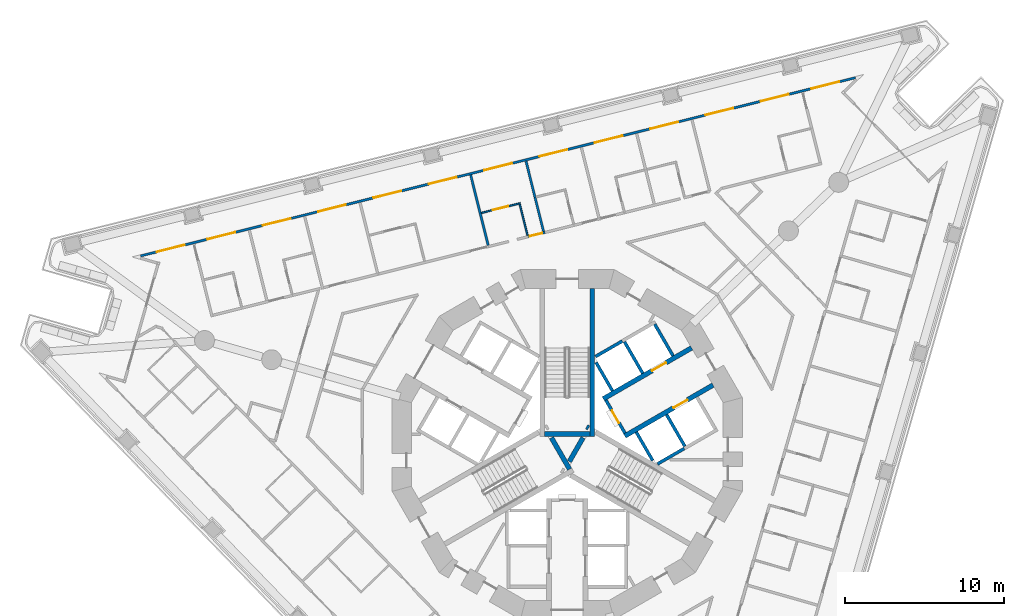
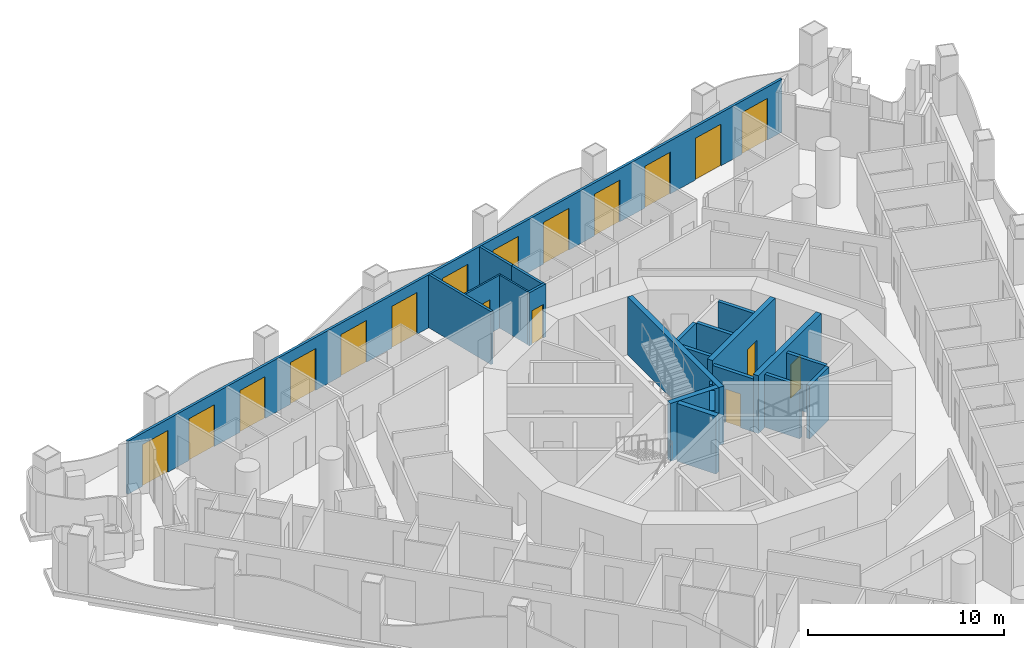
# One storey, part 8 of 19: 22 walls, 18 doors, 18 openings.
"""IFC4 building model written with IfcOpenShell, lengths in metres."""

from ifc_helpers import new_model, si_unit, direction, frame, frame_2d, origin, place, context, subcontext, project, spatial, polyline, rectangle, outline, extrude, material, layer, layer_set, type_object, element, fill, save


model = new_model("IFC4")

# Units and contexts
model_context = context("Model", 3, precision=1e-05, world=origin(), true_north=direction((0.0, 1.0)))
body_context = subcontext(model_context, "Body", "Model", "MODEL_VIEW")
ifc_project = project(units=[si_unit("LENGTHUNIT", "METRE"), si_unit("AREAUNIT", "SQUARE_METRE"), si_unit("VOLUMEUNIT", "CUBIC_METRE"), si_unit("PLANEANGLEUNIT", "RADIAN"), si_unit("MASSUNIT", "GRAM", prefix="KILO")], contexts=[model_context])

# Site, building, storey
site_placement = place(None, origin())
site = spatial("IfcSite", under=ifc_project, at=site_placement, CompositionType="ELEMENT")
building_placement = place(site_placement, origin())
building = spatial("IfcBuilding", under=site, at=building_placement, Name="Trine Commons Tower", CompositionType="ELEMENT")
storey_placement = place(building_placement, frame((0.0, 0.0, 98.10009765625)))
storey = spatial("IfcBuildingStorey", under=building, at=storey_placement, Name="L24", CompositionType="ELEMENT", Elevation=98.10009765625)

# Wall, openings, doors
ifc_material_1 = material(Name="Aluminium-framed insulated wall panel", Category="aluminium")
ifc_layer_1 = layer(ifc_material_1, 0.14990234375)
ifc_layer_set_1 = layer_set([ifc_layer_1], Name="Aluminium-framed insulated wall panel")
wall_type_1 = type_object("IfcWallType", Name="Glazed frame wall 150, EI 60", PredefinedType="SOLIDWALL", material=ifc_layer_set_1)
wall_1_placement = place(storey_placement, frame((53.01416015625, 74.326904296875, 0.0), z_axis=(0.0, 0.0, 1.0), x_axis=(0.970295935704, 0.24192105563, 0.0)))
wall_1 = element("IfcWall", 1, at=wall_1_placement, inside=storey, type_object=wall_type_1, Name="Glazed frame wall F1", PredefinedType="SOLIDWALL", context=body_context, shape_type="SweptSolid", body=[
    extrude(outline(polyline([(0.1494140625, 0.074951171875), (0.1494140625, -0.074951171875), (46.496826171875, -0.074951171875), (46.496826171875, 0.074951171875), (0.1494140625, 0.074951171875)])), origin(), (0.0, 0.0, 1.0), 3.2998046875),
])
opening_1_placement = place(wall_1_placement, frame((1.194091796875, 0.0, 0.0)))
opening_1 = element("IfcOpeningElement", 2, at=opening_1_placement, cuts=wall_1, Name="Opening BD-3F1-01", PredefinedType="OPENING", context=body_context, shape_type="SweptSolid", body=[
    extrude(rectangle(XDim=1.800048828125, YDim=2.60009765625, at=frame_2d((0.89990234375, 1.300048828125))), frame((0.0, 0.0849609375, 0.0), z_axis=(0.0, -1.0, 0.0), x_axis=(1.0, 0.0, 0.0)), (0.0, 0.0, 1.0), 0.169921875),
])
opening_2_placement = place(wall_1_placement, frame((4.482421875, 0.0, 0.0)))
opening_2 = element("IfcOpeningElement", 3, at=opening_2_placement, cuts=wall_1, Name="Opening BD-3F1-02", PredefinedType="OPENING", context=body_context, shape_type="SweptSolid", body=[
    extrude(rectangle(XDim=1.800048828125, YDim=2.60009765625, at=frame_2d((0.89990234375, 1.300048828125))), frame((0.0, 0.0849609375, 0.0), z_axis=(0.0, -1.0, 0.0), x_axis=(1.0, 0.0, 0.0)), (0.0, 0.0, 1.0), 0.169921875),
])
opening_3_placement = place(wall_1_placement, frame((8.070556640625, 0.0, 0.0)))
opening_3 = element("IfcOpeningElement", 4, at=opening_3_placement, cuts=wall_1, Name="Opening BD-3F1-03", PredefinedType="OPENING", context=body_context, shape_type="SweptSolid", body=[
    extrude(rectangle(XDim=1.800048828125, YDim=2.60009765625, at=frame_2d((0.89990234375, 1.300048828125))), frame((0.0, 0.0849609375, 0.0), z_axis=(0.0, -1.0, 0.0), x_axis=(1.0, 0.0, 0.0)), (0.0, 0.0, 1.0), 0.169921875),
])
opening_4_placement = place(wall_1_placement, frame((11.65869140625, 0.0, 0.0)))
opening_4 = element("IfcOpeningElement", 5, at=opening_4_placement, cuts=wall_1, Name="Opening BD-3F1-04", PredefinedType="OPENING", context=body_context, shape_type="SweptSolid", body=[
    extrude(rectangle(XDim=1.800048828125, YDim=2.60009765625, at=frame_2d((0.89990234375, 1.300048828125))), frame((0.0, 0.0849609375, 0.0), z_axis=(0.0, -1.0, 0.0), x_axis=(1.0, 0.0, 0.0)), (0.0, 0.0, 1.0), 0.169921875),
])
opening_5_placement = place(wall_1_placement, frame((15.246826171875, 0.0, 0.0)))
opening_5 = element("IfcOpeningElement", 6, at=opening_5_placement, cuts=wall_1, Name="Opening BD-3F1-05", PredefinedType="OPENING", context=body_context, shape_type="SweptSolid", body=[
    extrude(rectangle(XDim=1.800048828125, YDim=2.60009765625, at=frame_2d((0.89990234375, 1.300048828125))), frame((0.0, 0.0849609375, 0.0), z_axis=(0.0, -1.0, 0.0), x_axis=(1.0, 0.0, 0.0)), (0.0, 0.0, 1.0), 0.169921875),
])
opening_6_placement = place(wall_1_placement, frame((18.835205078125, 0.0, 0.0)))
opening_6 = element("IfcOpeningElement", 7, at=opening_6_placement, cuts=wall_1, Name="Opening BD-3F1-06", PredefinedType="OPENING", context=body_context, shape_type="SweptSolid", body=[
    extrude(rectangle(XDim=1.800048828125, YDim=2.60009765625, at=frame_2d((0.89990234375, 1.300048828125))), frame((0.0, 0.0849609375, 0.0), z_axis=(0.0, -1.0, 0.0), x_axis=(1.0, 0.0, 0.0)), (0.0, 0.0, 1.0), 0.169921875),
])
opening_7_placement = place(wall_1_placement, frame((22.42333984375, 0.0, 0.0)))
opening_7 = element("IfcOpeningElement", 8, at=opening_7_placement, cuts=wall_1, Name="Opening BD-3F1-07", PredefinedType="OPENING", context=body_context, shape_type="SweptSolid", body=[
    extrude(rectangle(XDim=1.800048828125, YDim=2.60009765625, at=frame_2d((0.89990234375, 1.300048828125))), frame((0.0, 0.0849609375, 0.0), z_axis=(0.0, -1.0, 0.0), x_axis=(1.0, 0.0, 0.0)), (0.0, 0.0, 1.0), 0.169921875),
])
opening_8_placement = place(wall_1_placement, frame((26.011474609375, 0.0, 0.0)))
opening_8 = element("IfcOpeningElement", 9, at=opening_8_placement, cuts=wall_1, Name="Opening BD-3F1-08", PredefinedType="OPENING", context=body_context, shape_type="SweptSolid", body=[
    extrude(rectangle(XDim=1.800048828125, YDim=2.60009765625, at=frame_2d((0.89990234375, 1.300048828125))), frame((0.0, 0.0849609375, 0.0), z_axis=(0.0, -1.0, 0.0), x_axis=(1.0, 0.0, 0.0)), (0.0, 0.0, 1.0), 0.169921875),
])
opening_9_placement = place(wall_1_placement, frame((29.599609375, 0.0, 0.0)))
opening_9 = element("IfcOpeningElement", 10, at=opening_9_placement, cuts=wall_1, Name="Opening BD-3F1-09", PredefinedType="OPENING", context=body_context, shape_type="SweptSolid", body=[
    extrude(rectangle(XDim=1.800048828125, YDim=2.60009765625, at=frame_2d((0.89990234375, 1.300048828125))), frame((0.0, 0.0849609375, 0.0), z_axis=(0.0, -1.0, 0.0), x_axis=(1.0, 0.0, 0.0)), (0.0, 0.0, 1.0), 0.169921875),
])
opening_10_placement = place(wall_1_placement, frame((33.18798828125, 0.0, 0.0)))
opening_10 = element("IfcOpeningElement", 11, at=opening_10_placement, cuts=wall_1, Name="Opening BD-3F1-10", PredefinedType="OPENING", context=body_context, shape_type="SweptSolid", body=[
    extrude(rectangle(XDim=1.800048828125, YDim=2.60009765625, at=frame_2d((0.89990234375, 1.300048828125))), frame((0.0, 0.0849609375, 0.0), z_axis=(0.0, -1.0, 0.0), x_axis=(1.0, 0.0, 0.0)), (0.0, 0.0, 1.0), 0.169921875),
])
opening_11_placement = place(wall_1_placement, frame((36.776123046875, 0.0, 0.0)))
opening_11 = element("IfcOpeningElement", 12, at=opening_11_placement, cuts=wall_1, Name="Opening BD-3F1-11", PredefinedType="OPENING", context=body_context, shape_type="SweptSolid", body=[
    extrude(rectangle(XDim=1.800048828125, YDim=2.60009765625, at=frame_2d((0.89990234375, 1.300048828125))), frame((0.0, 0.0849609375, 0.0), z_axis=(0.0, -1.0, 0.0), x_axis=(1.0, 0.0, 0.0)), (0.0, 0.0, 1.0), 0.169921875),
])
opening_12_placement = place(wall_1_placement, frame((40.3642578125, 0.0, 0.0)))
opening_12 = element("IfcOpeningElement", 13, at=opening_12_placement, cuts=wall_1, Name="Opening BD-3F1-12", PredefinedType="OPENING", context=body_context, shape_type="SweptSolid", body=[
    extrude(rectangle(XDim=1.800048828125, YDim=2.60009765625, at=frame_2d((0.89990234375, 1.300048828125))), frame((0.0, 0.0849609375, 0.0), z_axis=(0.0, -1.0, 0.0), x_axis=(1.0, 0.0, 0.0)), (0.0, 0.0, 1.0), 0.169921875),
])
opening_13_placement = place(wall_1_placement, frame((43.652587890625, 0.0, 0.0)))
opening_13 = element("IfcOpeningElement", 14, at=opening_13_placement, cuts=wall_1, Name="Opening BD-3F1-13", PredefinedType="OPENING", context=body_context, shape_type="SweptSolid", body=[
    extrude(rectangle(XDim=1.800048828125, YDim=2.60009765625, at=frame_2d((0.89990234375, 1.300048828125))), frame((0.0, 0.0849609375, 0.0), z_axis=(0.0, -1.0, 0.0), x_axis=(1.0, 0.0, 0.0)), (0.0, 0.0, 1.0), 0.169921875),
])
ifc_material_2 = material(Name="Anodised aluminium frame with double glazing", Category="aluminium")
door_type_1 = type_object("IfcDoorType", Name="Sliding loggia door 1800x2600", OperationType="SLIDING_TO_LEFT", PredefinedType="DOOR", material=ifc_material_2)
door_1_placement = place(opening_1_placement, origin())
door_1 = element("IfcDoor", 15, at=door_1_placement, inside=storey, type_object=door_type_1, Name="Loggia door F1 1", OperationType="SLIDING_TO_LEFT", OverallHeight=2.60009765625, OverallWidth=1.800048828125, PredefinedType="DOOR", context=body_context, shape_type="SweptSolid", body=[
    extrude(rectangle(XDim=1.800048828125, YDim=2.60009765625, at=frame_2d((0.89990234375, 1.300048828125))), frame((0.0, 0.02490234375, 0.0), z_axis=(0.0, -1.0, 0.0), x_axis=(1.0, 0.0, 0.0)), (0.0, 0.0, 1.0), 0.050048828125),
])
fill(opening_1, door_1)
door_2_placement = place(opening_2_placement, origin())
door_2 = element("IfcDoor", 16, at=door_2_placement, inside=storey, type_object=door_type_1, Name="Loggia door F1 2", OperationType="SLIDING_TO_LEFT", OverallHeight=2.60009765625, OverallWidth=1.800048828125, PredefinedType="DOOR", context=body_context, shape_type="SweptSolid", body=[
    extrude(rectangle(XDim=1.800048828125, YDim=2.60009765625, at=frame_2d((0.89990234375, 1.300048828125))), frame((0.0, 0.02490234375, 0.0), z_axis=(0.0, -1.0, 0.0), x_axis=(1.0, 0.0, 0.0)), (0.0, 0.0, 1.0), 0.050048828125),
])
fill(opening_2, door_2)
door_3_placement = place(opening_3_placement, origin())
door_3 = element("IfcDoor", 17, at=door_3_placement, inside=storey, type_object=door_type_1, Name="Loggia door F1 3", OperationType="SLIDING_TO_LEFT", OverallHeight=2.60009765625, OverallWidth=1.800048828125, PredefinedType="DOOR", context=body_context, shape_type="SweptSolid", body=[
    extrude(rectangle(XDim=1.800048828125, YDim=2.60009765625, at=frame_2d((0.89990234375, 1.300048828125))), frame((0.0, 0.02490234375, 0.0), z_axis=(0.0, -1.0, 0.0), x_axis=(1.0, 0.0, 0.0)), (0.0, 0.0, 1.0), 0.050048828125),
])
fill(opening_3, door_3)
door_4_placement = place(opening_4_placement, origin())
door_4 = element("IfcDoor", 18, at=door_4_placement, inside=storey, type_object=door_type_1, Name="Loggia door F1 4", OperationType="SLIDING_TO_LEFT", OverallHeight=2.60009765625, OverallWidth=1.800048828125, PredefinedType="DOOR", context=body_context, shape_type="SweptSolid", body=[
    extrude(rectangle(XDim=1.800048828125, YDim=2.60009765625, at=frame_2d((0.89990234375, 1.300048828125))), frame((0.0, 0.02490234375, 0.0), z_axis=(0.0, -1.0, 0.0), x_axis=(1.0, 0.0, 0.0)), (0.0, 0.0, 1.0), 0.050048828125),
])
fill(opening_4, door_4)
door_5_placement = place(opening_5_placement, origin())
door_5 = element("IfcDoor", 19, at=door_5_placement, inside=storey, type_object=door_type_1, Name="Loggia door F1 5", OperationType="SLIDING_TO_LEFT", OverallHeight=2.60009765625, OverallWidth=1.800048828125, PredefinedType="DOOR", context=body_context, shape_type="SweptSolid", body=[
    extrude(rectangle(XDim=1.800048828125, YDim=2.60009765625, at=frame_2d((0.89990234375, 1.300048828125))), frame((0.0, 0.02490234375, 0.0), z_axis=(0.0, -1.0, 0.0), x_axis=(1.0, 0.0, 0.0)), (0.0, 0.0, 1.0), 0.050048828125),
])
fill(opening_5, door_5)
door_6_placement = place(opening_6_placement, origin())
door_6 = element("IfcDoor", 20, at=door_6_placement, inside=storey, type_object=door_type_1, Name="Loggia door F1 6", OperationType="SLIDING_TO_LEFT", OverallHeight=2.60009765625, OverallWidth=1.800048828125, PredefinedType="DOOR", context=body_context, shape_type="SweptSolid", body=[
    extrude(rectangle(XDim=1.800048828125, YDim=2.60009765625, at=frame_2d((0.89990234375, 1.300048828125))), frame((0.0, 0.02490234375, 0.0), z_axis=(0.0, -1.0, 0.0), x_axis=(1.0, 0.0, 0.0)), (0.0, 0.0, 1.0), 0.050048828125),
])
fill(opening_6, door_6)
door_7_placement = place(opening_7_placement, origin())
door_7 = element("IfcDoor", 21, at=door_7_placement, inside=storey, type_object=door_type_1, Name="Loggia door F1 7", OperationType="SLIDING_TO_LEFT", OverallHeight=2.60009765625, OverallWidth=1.800048828125, PredefinedType="DOOR", context=body_context, shape_type="SweptSolid", body=[
    extrude(rectangle(XDim=1.800048828125, YDim=2.60009765625, at=frame_2d((0.89990234375, 1.300048828125))), frame((0.0, 0.02490234375, 0.0), z_axis=(0.0, -1.0, 0.0), x_axis=(1.0, 0.0, 0.0)), (0.0, 0.0, 1.0), 0.050048828125),
])
fill(opening_7, door_7)
door_8_placement = place(opening_8_placement, origin())
door_8 = element("IfcDoor", 22, at=door_8_placement, inside=storey, type_object=door_type_1, Name="Loggia door F1 8", OperationType="SLIDING_TO_LEFT", OverallHeight=2.60009765625, OverallWidth=1.800048828125, PredefinedType="DOOR", context=body_context, shape_type="SweptSolid", body=[
    extrude(rectangle(XDim=1.800048828125, YDim=2.60009765625, at=frame_2d((0.89990234375, 1.300048828125))), frame((0.0, 0.02490234375, 0.0), z_axis=(0.0, -1.0, 0.0), x_axis=(1.0, 0.0, 0.0)), (0.0, 0.0, 1.0), 0.050048828125),
])
fill(opening_8, door_8)
door_9_placement = place(opening_9_placement, origin())
door_9 = element("IfcDoor", 23, at=door_9_placement, inside=storey, type_object=door_type_1, Name="Loggia door F1 9", OperationType="SLIDING_TO_LEFT", OverallHeight=2.60009765625, OverallWidth=1.800048828125, PredefinedType="DOOR", context=body_context, shape_type="SweptSolid", body=[
    extrude(rectangle(XDim=1.800048828125, YDim=2.60009765625, at=frame_2d((0.89990234375, 1.300048828125))), frame((0.0, 0.02490234375, 0.0), z_axis=(0.0, -1.0, 0.0), x_axis=(1.0, 0.0, 0.0)), (0.0, 0.0, 1.0), 0.050048828125),
])
fill(opening_9, door_9)
door_10_placement = place(opening_10_placement, origin())
door_10 = element("IfcDoor", 24, at=door_10_placement, inside=storey, type_object=door_type_1, Name="Loggia door F1 10", OperationType="SLIDING_TO_LEFT", OverallHeight=2.60009765625, OverallWidth=1.800048828125, PredefinedType="DOOR", context=body_context, shape_type="SweptSolid", body=[
    extrude(rectangle(XDim=1.800048828125, YDim=2.60009765625, at=frame_2d((0.89990234375, 1.300048828125))), frame((0.0, 0.02490234375, 0.0), z_axis=(0.0, -1.0, 0.0), x_axis=(1.0, 0.0, 0.0)), (0.0, 0.0, 1.0), 0.050048828125),
])
fill(opening_10, door_10)
door_11_placement = place(opening_11_placement, origin())
door_11 = element("IfcDoor", 25, at=door_11_placement, inside=storey, type_object=door_type_1, Name="Loggia door F1 11", OperationType="SLIDING_TO_LEFT", OverallHeight=2.60009765625, OverallWidth=1.800048828125, PredefinedType="DOOR", context=body_context, shape_type="SweptSolid", body=[
    extrude(rectangle(XDim=1.800048828125, YDim=2.60009765625, at=frame_2d((0.89990234375, 1.300048828125))), frame((0.0, 0.02490234375, 0.0), z_axis=(0.0, -1.0, 0.0), x_axis=(1.0, 0.0, 0.0)), (0.0, 0.0, 1.0), 0.050048828125),
])
fill(opening_11, door_11)
door_12_placement = place(opening_12_placement, origin())
door_12 = element("IfcDoor", 26, at=door_12_placement, inside=storey, type_object=door_type_1, Name="Loggia door F1 12", OperationType="SLIDING_TO_LEFT", OverallHeight=2.60009765625, OverallWidth=1.800048828125, PredefinedType="DOOR", context=body_context, shape_type="SweptSolid", body=[
    extrude(rectangle(XDim=1.800048828125, YDim=2.60009765625, at=frame_2d((0.89990234375, 1.300048828125))), frame((0.0, 0.02490234375, 0.0), z_axis=(0.0, -1.0, 0.0), x_axis=(1.0, 0.0, 0.0)), (0.0, 0.0, 1.0), 0.050048828125),
])
fill(opening_12, door_12)
door_13_placement = place(opening_13_placement, origin())
door_13 = element("IfcDoor", 27, at=door_13_placement, inside=storey, type_object=door_type_1, Name="Loggia door F1 13", OperationType="SLIDING_TO_LEFT", OverallHeight=2.60009765625, OverallWidth=1.800048828125, PredefinedType="DOOR", context=body_context, shape_type="SweptSolid", body=[
    extrude(rectangle(XDim=1.800048828125, YDim=2.60009765625, at=frame_2d((0.89990234375, 1.300048828125))), frame((0.0, 0.02490234375, 0.0), z_axis=(0.0, -1.0, 0.0), x_axis=(1.0, 0.0, 0.0)), (0.0, 0.0, 1.0), 0.050048828125),
])
fill(opening_13, door_13)

# Wall, opening, door
ifc_material_3 = material(Name="Fire-rated gypsum shaft wall system")
ifc_layer_2 = layer(ifc_material_3, 0.199951171875)
ifc_layer_set_2 = layer_set([ifc_layer_2], Name="Fire-rated gypsum shaft wall system")
wall_type_2 = type_object("IfcWallType", Name="Lobby end wall 200 mm, EI 120", PredefinedType="PARTITIONING", material=ifc_layer_set_2)
wall_2_placement = place(storey_placement, frame((83.631103515625, 63.2109375, 0.0), z_axis=(0.0, 0.0, 1.0), x_axis=(-0.50012165622, 0.865955154139, 0.0)))
wall_2 = element("IfcWall", 28, at=wall_2_placement, inside=storey, type_object=wall_type_2, Name="Lobby end wall L24", PredefinedType="PARTITIONING", context=body_context, shape_type="SweptSolid", body=[
    extrude(rectangle(XDim=2.39990234375, YDim=0.199951171875, at=frame_2d((1.199951171875, 0.0))), origin(), (0.0, 0.0, 1.0), 3.2998046875),
])
opening_14_placement = place(wall_2_placement, frame((0.749755859375, 0.0, 0.0)))
opening_14 = element("IfcOpeningElement", 29, at=opening_14_placement, cuts=wall_2, Name="Opening K07.05", PredefinedType="OPENING", context=body_context, shape_type="SweptSolid", body=[
    extrude(rectangle(XDim=0.89990234375, YDim=2.10009765625, at=frame_2d((0.449951171875, 1.050048828125))), frame((0.0, 0.10986328125, 0.0), z_axis=(0.0, -1.0, 0.0), x_axis=(1.0, 0.0, 0.0)), (0.0, 0.0, 1.0), 0.219970703125),
])
ifc_material_4 = material(Name="Steel door leaf, fire-rated", Category="steel")
door_type_2 = type_object("IfcDoorType", Name="Riser access door, single leaf 900 x 2100, FD60", OperationType="SINGLE_SWING_LEFT", PredefinedType="DOOR", material=ifc_material_4)
door_14_placement = place(opening_14_placement, frame((0.89990234375, 0.0, 0.0), z_axis=(0.0, 0.0, 1.0), x_axis=(-1.0, 0.0, 0.0)))
door_14 = element("IfcDoor", 30, at=door_14_placement, inside=storey, type_object=door_type_2, Name="Riser door, Electrical riser L24", OperationType="SINGLE_SWING_LEFT", OverallHeight=2.10009765625, OverallWidth=0.89990234375, PredefinedType="DOOR", context=body_context, shape_type="SweptSolid", body=[
    extrude(rectangle(XDim=0.89990234375, YDim=2.10009765625, at=frame_2d((0.449951171875, 1.050048828125))), frame((0.0, 0.02490234375, 0.0), z_axis=(0.0, -1.0, 0.0), x_axis=(1.0, 0.0, 0.0)), (0.0, 0.0, 1.0), 0.050048828125),
])
fill(opening_14, door_14)

ifc_material_5 = material(Name="Concrete C70/85", Category="concrete")
ifc_layer_3 = layer(ifc_material_5, 0.300048828125)
ifc_layer_set_3 = layer_set([ifc_layer_3], Name="Concrete C70/85")
wall_type_3 = type_object("IfcWallType", Name="RC shear wall 300 mm, C70/85", PredefinedType="SHEAR", material=ifc_layer_set_3)
wall_3_placement = place(storey_placement, frame((82.26904296875, 65.368896484375, 0.0), z_axis=(0.0, 0.0, 1.0), x_axis=(0.866022631842, 0.500004801114, 0.0)))
wall_3 = element("IfcWall", 31, at=wall_3_placement, inside=storey, type_object=wall_type_3, Name="Core cross wall SWA-05 L24", PredefinedType="SHEAR", context=body_context, shape_type="SweptSolid", body=[
    extrude(rectangle(XDim=6.412109375, YDim=0.300048828125, at=frame_2d((3.2060546875, 0.0))), origin(), (0.0, 0.0, 1.0), 3.599853515625),
])
opening_15_placement = place(wall_3_placement, frame((3.55029296875, 0.0, 0.0)))
opening_15 = element("IfcOpeningElement", 32, at=opening_15_placement, cuts=wall_3, Name="Opening LD1", PredefinedType="OPENING", context=body_context, shape_type="SweptSolid", body=[
    extrude(rectangle(XDim=1.0, YDim=2.10009765625, at=frame_2d((0.5, 1.050048828125))), frame((0.0, 0.159912109375, 0.0), z_axis=(0.0, -1.0, 0.0), x_axis=(1.0, 0.0, 0.0)), (0.0, 0.0, 1.0), 0.320068359375),
])
ifc_material_6 = material(Name="Stainless steel sliding door leaves", Category="steel")
door_type_3 = type_object("IfcDoorType", Name="Lift landing door, centre-opening sliding 1000 x 2100, FD90", OperationType="DOUBLE_DOOR_SLIDING", PredefinedType="DOOR", material=ifc_material_6)
door_15_placement = place(opening_15_placement, origin())
door_15 = element("IfcDoor", 33, at=door_15_placement, inside=storey, type_object=door_type_3, Name="Lift landing door LR1 L24", OperationType="DOUBLE_DOOR_SLIDING", OverallHeight=2.10009765625, OverallWidth=1.0, PredefinedType="DOOR", context=body_context, shape_type="SweptSolid", body=[
    extrude(rectangle(XDim=1.0, YDim=2.10009765625, at=frame_2d((0.5, 1.050048828125))), frame((0.0, 0.02490234375, 0.0), z_axis=(0.0, -1.0, 0.0), x_axis=(1.0, 0.0, 0.0)), (0.0, 0.0, 1.0), 0.050048828125),
])
fill(opening_15, door_15)

wall_4_placement = place(storey_placement, frame((83.618896484375, 63.031005859375, 0.0), z_axis=(0.0, 0.0, 1.0), x_axis=(0.866032150378, 0.499988314375, 0.0)))
wall_4 = element("IfcWall", 34, at=wall_4_placement, inside=storey, type_object=wall_type_3, Name="Core cross wall SWA-06 L24", PredefinedType="SHEAR", context=body_context, shape_type="SweptSolid", body=[
    extrude(rectangle(XDim=6.412353515625, YDim=0.300048828125, at=frame_2d((3.2060546875, 0.0))), origin(), (0.0, 0.0, 1.0), 3.599853515625),
])
opening_16_placement = place(wall_4_placement, frame((3.55029296875, 0.0, 0.0)))
opening_16 = element("IfcOpeningElement", 35, at=opening_16_placement, cuts=wall_4, Name="Opening LD2", PredefinedType="OPENING", context=body_context, shape_type="SweptSolid", body=[
    extrude(rectangle(XDim=1.0, YDim=2.10009765625, at=frame_2d((0.5, 1.050048828125))), frame((0.0, 0.159912109375, 0.0), z_axis=(0.0, -1.0, 0.0), x_axis=(1.0, 0.0, 0.0)), (0.0, 0.0, 1.0), 0.320068359375),
])
door_16_placement = place(opening_16_placement, origin())
door_16 = element("IfcDoor", 36, at=door_16_placement, inside=storey, type_object=door_type_3, Name="Lift landing door LR2 L24", OperationType="DOUBLE_DOOR_SLIDING", OverallHeight=2.10009765625, OverallWidth=1.0, PredefinedType="DOOR", context=body_context, shape_type="SweptSolid", body=[
    extrude(rectangle(XDim=1.0, YDim=2.10009765625, at=frame_2d((0.5, 1.050048828125))), frame((0.0, 0.02490234375, 0.0), z_axis=(0.0, -1.0, 0.0), x_axis=(1.0, 0.0, 0.0)), (0.0, 0.0, 1.0), 0.050048828125),
])
fill(opening_16, door_16)

# Walls
wall_5_placement = place(storey_placement, frame((79.0029296875, 62.926025390625, 0.0), z_axis=(0.0, 0.0, 1.0), x_axis=(0.499965247104, -0.866045467449, 0.0)))
element("IfcWall", 37, at=wall_5_placement, inside=storey, type_object=wall_type_3, Name="Core cross wall SWA-10 L24", PredefinedType="SHEAR", context=body_context, shape_type="SweptSolid", body=[
    extrude(rectangle(XDim=2.292236328125, YDim=0.300048828125, at=frame_2d((1.14599609375, 0.0))), origin(), (0.0, 0.0, 1.0), 3.599853515625),
])
wall_6_placement = place(storey_placement, frame((80.1298828125, 61.424072265625, 0.0), z_axis=(0.0, 0.0, 1.0), x_axis=(0.500014901547, 0.866016800201, 0.0)))
element("IfcWall", 38, at=wall_6_placement, inside=storey, type_object=wall_type_3, Name="Core cross wall SWA-12 L24", PredefinedType="SHEAR", context=body_context, shape_type="SweptSolid", body=[
    extrude(rectangle(XDim=1.734375, YDim=0.300048828125, at=frame_2d((0.8671875, 0.0))), origin(), (0.0, 0.0, 1.0), 3.599853515625),
])
wall_7_placement = place(storey_placement, frame((81.220947265625, 63.614013671875, 0.0), z_axis=(0.0, 0.0, 1.0), x_axis=(0.867737973955, -0.497021939713, 0.0)))
element("IfcWall", 39, at=wall_7_placement, inside=storey, type_object=wall_type_3, Name="Core cross wall SWA-15 L24", PredefinedType="SHEAR", context=body_context, shape_type="SweptSolid", body=[
    extrude(rectangle(XDim=0.14892578125, YDim=0.300048828125, at=frame_2d((0.074462890625, 0.0))), origin(), (0.0, 0.0, 1.0), 3.599853515625),
])
wall_8_placement = place(storey_placement, frame((81.425048828125, 63.15087890625, 0.0), z_axis=(0.0, 0.0, 1.0), x_axis=(-1.0, 0.0, 0.0)))
element("IfcWall", 40, at=wall_8_placement, inside=storey, type_object=wall_type_3, Name="Core cross wall SWA-16 L24", PredefinedType="SHEAR", context=body_context, shape_type="SweptSolid", body=[
    extrude(rectangle(XDim=2.85009765625, YDim=0.300048828125, at=frame_2d((1.425048828125, 0.0))), origin(), (0.0, 0.0, 1.0), 3.599853515625),
])
wall_9_placement = place(storey_placement, frame((81.574951171875, 63.0009765625, 0.0), z_axis=(0.0, 0.0, 1.0), x_axis=(0.0, 1.0, 0.0)))
element("IfcWall", 41, at=wall_9_placement, inside=storey, type_object=wall_type_3, Name="Core cross wall SWA-17 L24", PredefinedType="SHEAR", context=body_context, shape_type="SweptSolid", body=[
    extrude(rectangle(XDim=9.31103515625, YDim=0.300048828125, at=frame_2d((4.655517578125, 0.0))), origin(), (0.0, 0.0, 1.0), 3.599853515625),
])
ifc_layer_4 = layer(ifc_material_3, 0.199951171875)
ifc_layer_set_4 = layer_set([ifc_layer_4], Name="Fire-rated gypsum shaft wall system")
wall_type_4 = type_object("IfcWallType", Name="Shaft wall 200 mm, EI 120", PredefinedType="PARTITIONING", material=ifc_layer_set_4)
wall_10_placement = place(storey_placement, frame((81.77490234375, 68.028076171875, 0.0), z_axis=(0.0, 0.0, 1.0), x_axis=(0.866052014814, 0.499953905513, 0.0)))
element("IfcWall", 42, at=wall_10_placement, inside=storey, type_object=wall_type_4, Name="Shaft wall L24", PredefinedType="PARTITIONING", context=body_context, shape_type="SweptSolid", body=[
    extrude(rectangle(XDim=1.947998046875, YDim=0.199951171875, at=frame_2d((0.97412109375, 0.0))), origin(), (0.0, 0.0, 1.0), 3.2998046875),
])
wall_11_placement = place(storey_placement, frame((82.843994140625, 65.8740234375, 0.0), z_axis=(0.0, 0.0, 1.0), x_axis=(-0.499865770674, 0.866102887253, 0.0)))
element("IfcWall", 43, at=wall_11_placement, inside=storey, type_object=wall_type_4, Name="Shaft wall L24", PredefinedType="PARTITIONING", context=body_context, shape_type="SweptSolid", body=[
    extrude(rectangle(XDim=2.064453125, YDim=0.199951171875, at=frame_2d((1.0322265625, 0.0))), origin(), (0.0, 0.0, 1.0), 3.2998046875),
])
wall_12_placement = place(storey_placement, frame((84.343994140625, 63.27587890625, 0.0), z_axis=(0.0, 0.0, 1.0), x_axis=(0.500271688072, -0.86586848777, 0.0)))
element("IfcWall", 44, at=wall_12_placement, inside=storey, type_object=wall_type_4, Name="Shaft wall L24", PredefinedType="PARTITIONING", context=body_context, shape_type="SweptSolid", body=[
    extrude(rectangle(XDim=2.064697265625, YDim=0.199951171875, at=frame_2d((1.0322265625, 0.0))), origin(), (0.0, 0.0, 1.0), 3.2998046875),
])
wall_13_placement = place(storey_placement, frame((84.7490234375, 66.97412109375, 0.0), z_axis=(0.0, 0.0, 1.0), x_axis=(-0.500136062276, 0.86594683394, 0.0)))
element("IfcWall", 45, at=wall_13_placement, inside=storey, type_object=wall_type_4, Name="Shaft wall L24", PredefinedType="PARTITIONING", context=body_context, shape_type="SweptSolid", body=[
    extrude(rectangle(XDim=2.299072265625, YDim=0.199951171875, at=frame_2d((1.1494140625, 0.0))), origin(), (0.0, 0.0, 1.0), 3.2998046875),
])
wall_14_placement = place(storey_placement, frame((85.675048828125, 61.27294921875, 0.0), z_axis=(0.0, 0.0, 1.0), x_axis=(0.865780634835, 0.500423712812, 0.0)))
element("IfcWall", 46, at=wall_14_placement, inside=storey, type_object=wall_type_4, Name="Shaft wall L24", PredefinedType="PARTITIONING", context=body_context, shape_type="SweptSolid", body=[
    extrude(rectangle(XDim=1.948486328125, YDim=0.199951171875, at=frame_2d((0.97412109375, 0.0))), origin(), (0.0, 0.0, 1.0), 3.2998046875),
])
wall_15_placement = place(storey_placement, frame((86.2490234375, 64.3759765625, 0.0), z_axis=(0.0, 0.0, 1.0), x_axis=(0.500136062276, -0.86594683394, 0.0)))
element("IfcWall", 47, at=wall_15_placement, inside=storey, type_object=wall_type_4, Name="Shaft wall L24", PredefinedType="PARTITIONING", context=body_context, shape_type="SweptSolid", body=[
    extrude(rectangle(XDim=2.299072265625, YDim=0.199951171875, at=frame_2d((1.1494140625, 0.0))), origin(), (0.0, 0.0, 1.0), 3.2998046875),
])
wall_16_placement = place(storey_placement, frame((86.655029296875, 68.073974609375, 0.0), z_axis=(0.0, 0.0, 1.0), x_axis=(-0.500215680983, 0.865900844496, 0.0)))
element("IfcWall", 48, at=wall_16_placement, inside=storey, type_object=wall_type_4, Name="Shaft wall L24", PredefinedType="PARTITIONING", context=body_context, shape_type="SweptSolid", body=[
    extrude(rectangle(XDim=2.29931640625, YDim=0.199951171875, at=frame_2d((1.149658203125, 0.0))), origin(), (0.0, 0.0, 1.0), 3.2998046875),
])
ifc_material_7 = material(Name="Gypsum plasterboard on steel stud", Category="steel")
ifc_layer_5 = layer(ifc_material_7, 0.14990234375)
ifc_layer_set_5 = layer_set([ifc_layer_5], Name="Gypsum plasterboard on steel stud")
wall_type_5 = type_object("IfcWallType", Name="Unit and corridor wall 150 mm, EI 60", PredefinedType="PARTITIONING", material=ifc_layer_set_5)
wall_17_placement = place(storey_placement, frame((73.921630859375, 79.462158203125, 0.0), z_axis=(0.0, 0.0, 1.0), x_axis=(0.241945064156, -0.970289949412, 0.0)))
element("IfcWall", 49, at=wall_17_placement, inside=storey, type_object=wall_type_5, Name="Partition 056", PredefinedType="PARTITIONING", context=body_context, shape_type="SweptSolid", body=[
    extrude(rectangle(XDim=4.572021484375, YDim=0.14990234375, at=frame_2d((2.2861328125, 0.0))), origin(), (0.0, 0.0, 1.0), 3.2998046875),
])
wall_18_placement = place(storey_placement, frame((77.40380859375, 80.330078125, 0.0), z_axis=(0.0, 0.0, 1.0), x_axis=(0.24200944289, -0.97027389409, 0.0)))
element("IfcWall", 50, at=wall_18_placement, inside=storey, type_object=wall_type_5, Name="Partition 064", PredefinedType="PARTITIONING", context=body_context, shape_type="SweptSolid", body=[
    extrude(rectangle(XDim=2.40185546875, YDim=0.14990234375, at=frame_2d((1.200927734375, 0.0))), origin(), (0.0, 0.0, 1.0), 3.2998046875),
])

# Wall, opening, door
wall_19_placement = place(storey_placement, frame((77.468505859375, 75.556884765625, 0.0), z_axis=(0.0, 0.0, 1.0), x_axis=(0.970313954957, 0.241848772615, 0.0)))
wall_19 = element("IfcWall", 51, at=wall_19_placement, inside=storey, type_object=wall_type_5, Name="Partition 065", PredefinedType="PARTITIONING", context=body_context, shape_type="SweptSolid", body=[
    extrude(rectangle(XDim=1.1708984375, YDim=0.14990234375, at=frame_2d((0.58544921875, 0.0))), origin(), (0.0, 0.0, 1.0), 3.2998046875),
])
opening_17_placement = place(wall_19_placement, frame((0.186767578125, 0.0, 0.0)))
opening_17 = element("IfcOpeningElement", 52, at=opening_17_placement, cuts=wall_19, Name="Opening D-3B11", PredefinedType="OPENING", context=body_context, shape_type="SweptSolid", body=[
    extrude(rectangle(XDim=0.800048828125, YDim=2.10009765625, at=frame_2d((0.39990234375, 1.050048828125))), frame((0.0, 0.0849609375, 0.0), z_axis=(0.0, -1.0, 0.0), x_axis=(1.0, 0.0, 0.0)), (0.0, 0.0, 1.0), 0.169921875),
])
ifc_material_8 = material(Name="Timber fire door set", Category="wood")
door_type_4 = type_object("IfcDoorType", Name="Bedroom door 800 x 2100, FD30S", OperationType="NOTDEFINED", PredefinedType="DOOR", material=ifc_material_8)
door_17_placement = place(opening_17_placement, origin())
door_17 = element("IfcDoor", 53, at=door_17_placement, inside=storey, type_object=door_type_4, Name="Door D-3B11", OperationType="SINGLE_SWING_RIGHT", OverallHeight=2.10009765625, OverallWidth=0.800048828125, PredefinedType="DOOR", context=body_context, shape_type="SweptSolid", body=[
    extrude(rectangle(XDim=0.800048828125, YDim=2.10009765625, at=frame_2d((0.39990234375, 1.050048828125))), frame((0.0, 0.02490234375, 0.0), z_axis=(0.0, -1.0, 0.0), x_axis=(1.0, 0.0, 0.0)), (0.0, 0.0, 1.0), 0.050048828125),
])
fill(opening_17, door_17)

# Wall
wall_20_placement = place(storey_placement, frame((77.970947265625, 78.055908203125, 0.0), z_axis=(0.0, 0.0, 1.0), x_axis=(0.24191686251, -0.970296981152, 0.0)))
element("IfcWall", 54, at=wall_20_placement, inside=storey, type_object=wall_type_5, Name="Partition 066", PredefinedType="PARTITIONING", context=body_context, shape_type="SweptSolid", body=[
    extrude(rectangle(XDim=2.228271484375, YDim=0.14990234375, at=frame_2d((1.1142578125, 0.0))), origin(), (0.0, 0.0, 1.0), 3.2998046875),
])

# Wall, opening, door
ifc_layer_6 = layer(ifc_material_7, 0.10009765625)
ifc_layer_set_6 = layer_set([ifc_layer_6], Name="Gypsum plasterboard on steel stud")
wall_type_6 = type_object("IfcWallType", Name="Unit partition 100 mm, no rating", PredefinedType="PARTITIONING", material=ifc_layer_set_6)
wall_21_placement = place(storey_placement, frame((74.5966796875, 77.067138671875, 0.0), z_axis=(0.0, 0.0, 1.0), x_axis=(0.970290214263, 0.241944002002, 0.0)))
wall_21 = element("IfcWall", 55, at=wall_21_placement, inside=storey, type_object=wall_type_6, Name="Partition 057", PredefinedType="PARTITIONING", context=body_context, shape_type="SweptSolid", body=[
    extrude(rectangle(XDim=2.524658203125, YDim=0.10009765625, at=frame_2d((1.26220703125, 0.0))), origin(), (0.0, 0.0, 1.0), 3.2998046875),
])
opening_18_placement = place(wall_21_placement, frame((0.7373046875, 0.0, 0.0)))
opening_18 = element("IfcOpeningElement", 56, at=opening_18_placement, cuts=wall_21, Name="Opening D-3B46", PredefinedType="OPENING", context=body_context, shape_type="SweptSolid", body=[
    extrude(rectangle(XDim=1.0, YDim=2.10009765625, at=frame_2d((0.5, 1.050048828125))), frame((0.0, 0.06005859375, 0.0), z_axis=(0.0, -1.0, 0.0), x_axis=(1.0, 0.0, 0.0)), (0.0, 0.0, 1.0), 0.1201171875),
])
ifc_material_9 = material(Name="Painted timber", Category="wood")
door_type_5 = type_object("IfcDoorType", Name="Internal door 1000 x 2100, NOT RATED", OperationType="NOTDEFINED", PredefinedType="DOOR", material=ifc_material_9)
door_18_placement = place(opening_18_placement, origin())
door_18 = element("IfcDoor", 57, at=door_18_placement, inside=storey, type_object=door_type_5, Name="Door D-3B46", OperationType="SINGLE_SWING_LEFT", OverallHeight=2.10009765625, OverallWidth=1.0, PredefinedType="DOOR", context=body_context, shape_type="SweptSolid", body=[
    extrude(rectangle(XDim=1.0, YDim=2.10009765625, at=frame_2d((0.5, 1.050048828125))), frame((0.0, 0.02490234375, 0.0), z_axis=(0.0, -1.0, 0.0), x_axis=(1.0, 0.0, 0.0)), (0.0, 0.0, 1.0), 0.050048828125),
])
fill(opening_18, door_18)

# Wall
wall_22_placement = place(storey_placement, frame((77.010009765625, 77.617431640625, 0.0), z_axis=(0.0, 0.0, 1.0), x_axis=(0.242084199174, -0.970255245031, 0.0)))
element("IfcWall", 58, at=wall_22_placement, inside=storey, type_object=wall_type_6, Name="Partition 063", PredefinedType="PARTITIONING", context=body_context, shape_type="SweptSolid", body=[
    extrude(rectangle(XDim=2.0361328125, YDim=0.10009765625, at=frame_2d((1.01806640625, 0.0))), origin(), (0.0, 0.0, 1.0), 3.2998046875),
])

save(model, "model.ifc")
